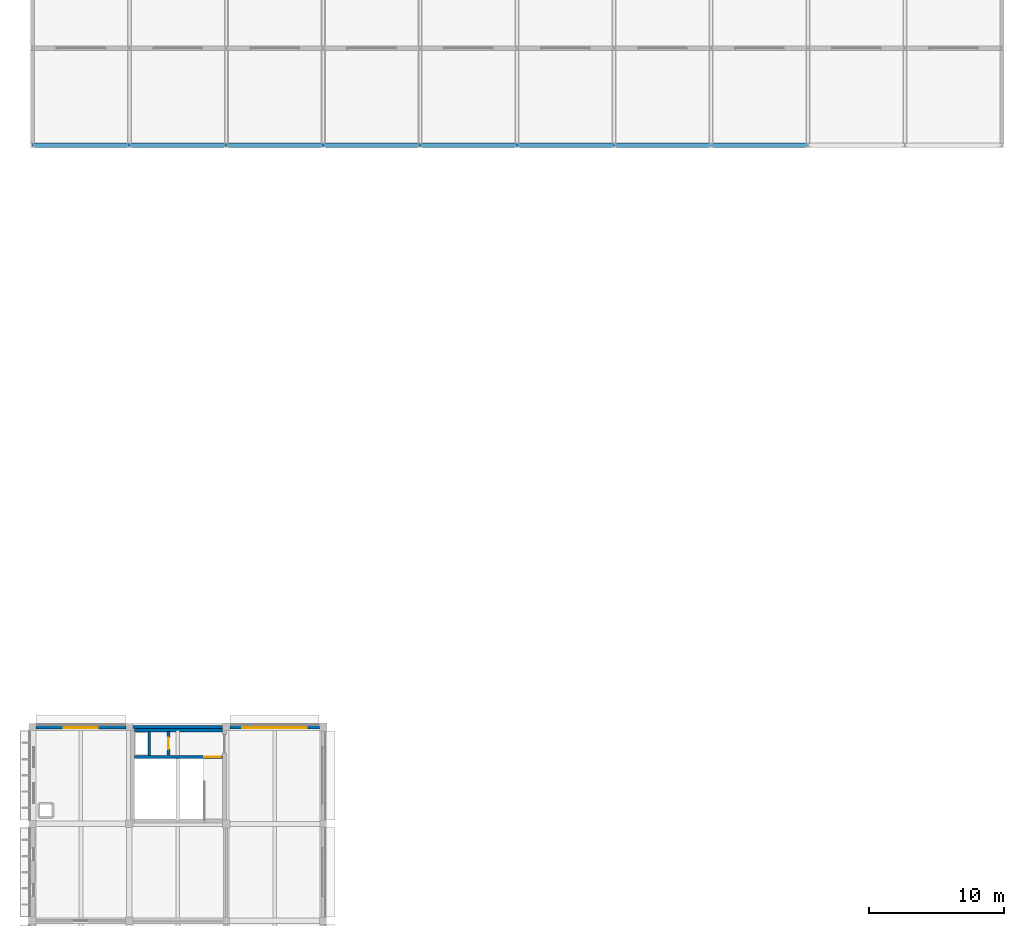
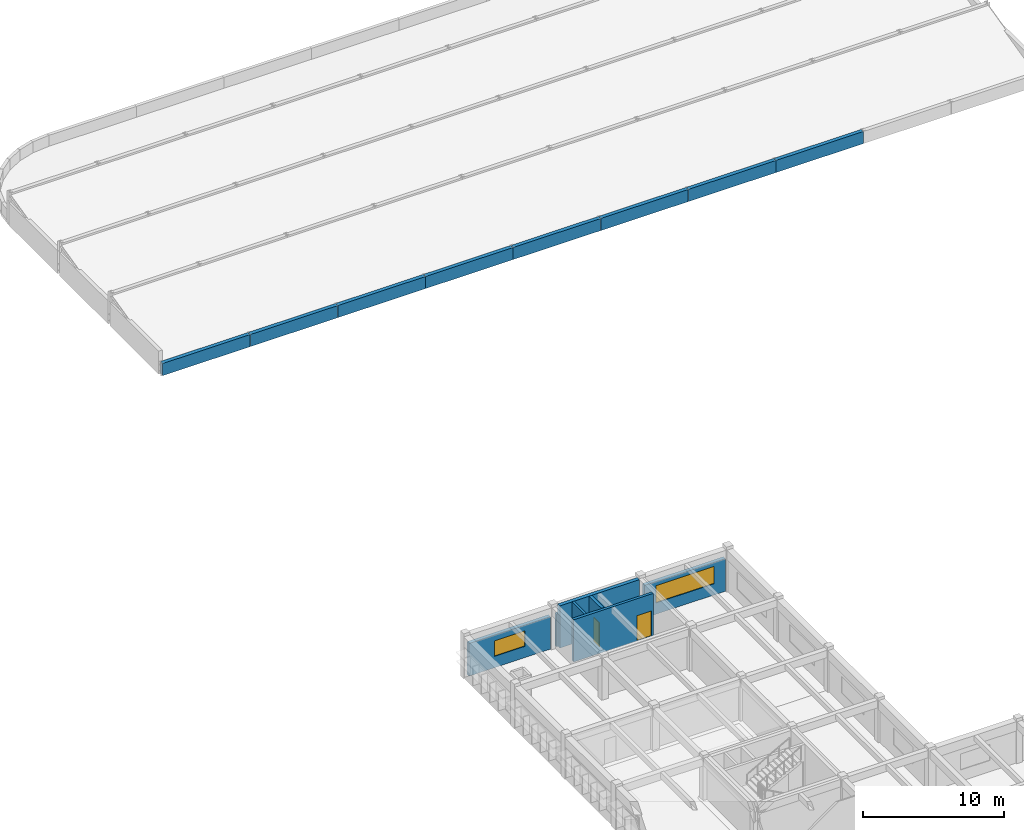
# One storey, part 15 of 19: 15 walls, 2 doors, 2 windows, 4 openings.
"""IFC4 building model written with IfcOpenShell, lengths in metres."""

from ifc_helpers import new_model, si_unit, direction, frame, frame_2d, origin, place, context, subcontext, project, spatial, rectangle, extrude, material, layer, layer_set, type_object, element, fill, save


model = new_model("IFC4")

# Units and contexts
model_context = context("Model", 3, precision=1e-05, world=origin(), true_north=direction((0.0, 1.0)))
body_context = subcontext(model_context, "Body", "Model", "MODEL_VIEW")
ifc_project = project(units=[si_unit("LENGTHUNIT", "METRE"), si_unit("AREAUNIT", "SQUARE_METRE"), si_unit("VOLUMEUNIT", "CUBIC_METRE"), si_unit("PLANEANGLEUNIT", "RADIAN"), si_unit("MASSUNIT", "GRAM", prefix="KILO")], contexts=[model_context])

# Site, building, storey
site_placement = place(None, origin())
site = spatial("IfcSite", under=ifc_project, at=site_placement, CompositionType="ELEMENT")
building_placement = place(site_placement, origin())
building = spatial("IfcBuilding", under=site, at=building_placement, Name="Thalmaran Polytechnic", CompositionType="ELEMENT")
storey_placement = place(building_placement, frame((0.0, 0.0, 26.699951171875)))
storey = spatial("IfcBuildingStorey", under=building, at=storey_placement, Name="L06", CompositionType="ELEMENT", Elevation=26.699951171875)

# Walls
ifc_material_1 = material(Name="Precast concrete C40/50", Category="concrete")
ifc_layer_1 = layer(ifc_material_1, 0.31005859375, Name="Precast concrete C40/50")
ifc_layer_set_1 = layer_set([ifc_layer_1], Name="Precast concrete C40/50")
wall_type_1 = type_object("IfcWallType", Name="WL-EW03", PredefinedType="STANDARD", material=ifc_layer_set_1)
for number, where, z_axis, x_axis, name in (
    (1, (0.010009765625, 93.60009765625, 0.0), (0.0, 0.0, 1.0), (1.0, 0.0, 0.0), "Sawtooth South Eave Spandrel 00"),
    (2, (7.2099609375, 93.60009765625, 0.0), (0.0, 0.0, 1.0), (1.0, 0.0, 0.0), "Sawtooth South Eave Spandrel 01"),
):
    element("IfcWall", number, at=place(storey_placement, frame(where, z_axis=z_axis, x_axis=x_axis)), inside=storey, type_object=wall_type_1, Name=name, PredefinedType="STANDARD", context=body_context, shape_type="SweptSolid", body=[
        extrude(rectangle(XDim=7.179931640625, YDim=0.31005859375, at=frame_2d((3.58984375, 0.0))), origin(), (0.0, 0.0, 1.0), 1.050048828125),
    ])
wall_1_placement = place(storey_placement, frame((14.409912109375, 93.60009765625, 0.0), z_axis=(0.0, 0.0, 1.0), x_axis=(1.0, 0.0, 0.0)))
element("IfcWall", 3, at=wall_1_placement, inside=storey, type_object=wall_type_1, Name="Sawtooth South Eave Spandrel 02", PredefinedType="STANDARD", context=body_context, shape_type="SweptSolid", body=[
    extrude(rectangle(XDim=7.18017578125, YDim=0.31005859375, at=frame_2d((3.590087890625, 0.0))), origin(), (0.0, 0.0, 1.0), 1.050048828125),
])
for number, where, z_axis, x_axis, name in (
    (4, (21.610107421875, 93.60009765625, 0.0), (0.0, 0.0, 1.0), (1.0, 0.0, 0.0), "Sawtooth South Eave Spandrel 03"),
    (5, (28.81005859375, 93.60009765625, 0.0), (0.0, 0.0, 1.0), (1.0, 0.0, 0.0), "Sawtooth South Eave Spandrel 04"),
    (6, (36.010009765625, 93.60009765625, 0.0), (0.0, 0.0, 1.0), (1.0, 0.0, 0.0), "Sawtooth South Eave Spandrel 05"),
    (7, (43.2099609375, 93.60009765625, 0.0), (0.0, 0.0, 1.0), (1.0, 0.0, 0.0), "Sawtooth South Eave Spandrel 06"),
):
    element("IfcWall", number, at=place(storey_placement, frame(where, z_axis=z_axis, x_axis=x_axis)), inside=storey, type_object=wall_type_1, Name=name, PredefinedType="STANDARD", context=body_context, shape_type="SweptSolid", body=[
        extrude(rectangle(XDim=7.179931640625, YDim=0.31005859375, at=frame_2d((3.58984375, 0.0))), origin(), (0.0, 0.0, 1.0), 1.050048828125),
    ])
wall_2_placement = place(storey_placement, frame((50.409912109375, 93.60009765625, 0.0), z_axis=(0.0, 0.0, 1.0), x_axis=(1.0, 0.0, 0.0)))
element("IfcWall", 8, at=wall_2_placement, inside=storey, type_object=wall_type_1, Name="Sawtooth South Eave Spandrel 07", PredefinedType="STANDARD", context=body_context, shape_type="SweptSolid", body=[
    extrude(rectangle(XDim=7.18017578125, YDim=0.31005859375, at=frame_2d((3.590087890625, 0.0))), origin(), (0.0, 0.0, 1.0), 1.050048828125),
])

# Wall, opening, window
ifc_layer_2 = layer(ifc_material_1, 0.2900390625, Name="Precast concrete C40/50")
ifc_layer_set_2 = layer_set([ifc_layer_2], Name="Precast concrete C40/50")
wall_type_2 = type_object("IfcWallType", Name="WL-EW04", PredefinedType="STANDARD", material=ifc_layer_set_2)
wall_3_placement = place(storey_placement, frame((0.25, 50.39990234375, 0.0), z_axis=(0.0, 0.0, 1.0), x_axis=(1.0, 0.0, 0.0)))
wall_3 = element("IfcWall", 9, at=wall_3_placement, inside=storey, type_object=wall_type_2, Name="Exterior Precast Facade Wall L06-011", PredefinedType="STANDARD", context=body_context, shape_type="SweptSolid", body=[
    extrude(rectangle(XDim=6.68994140625, YDim=0.2900390625, at=frame_2d((3.344970703125, 0.0))), origin(), (0.0, 0.0, 1.0), 2.830078125),
])
opening_1_placement = place(wall_3_placement, frame((2.094970703125, 0.0, 0.97998046875)))
opening_1 = element("IfcOpeningElement", 10, at=opening_1_placement, cuts=wall_3, Name="Opening VW19", PredefinedType="OPENING", context=body_context, shape_type="SweptSolid", body=[
    extrude(rectangle(XDim=2.5, YDim=1.35009765625, at=frame_2d((1.25, 0.675048828125))), frame((0.0, 0.155029296875, 0.0), z_axis=(0.0, -1.0, 0.0), x_axis=(1.0, 0.0, 0.0)), (0.0, 0.0, 1.0), 0.31005859375),
])
ifc_material_2 = material(Name="Thermally broken aluminium and double low-E glass", Category="aluminium")
window_type_1 = type_object("IfcWindowType", Name="WN-VZ19", PartitioningType="DOUBLE_PANEL_VERTICAL", PredefinedType="WINDOW", material=ifc_material_2)
window_1_placement = place(opening_1_placement, origin())
window_1 = element("IfcWindow", 11, at=window_1_placement, inside=storey, type_object=window_type_1, Name="Streamline Ribbon Window W-0741", OverallHeight=1.35009765625, OverallWidth=2.5, PartitioningType="SINGLE_PANEL", PredefinedType="WINDOW", context=body_context, shape_type="SweptSolid", body=[
    extrude(rectangle(XDim=2.5, YDim=1.35009765625, at=frame_2d((1.25, 0.675048828125))), frame((0.0, -0.030029296875, 0.0), z_axis=(0.0, -1.0, 0.0), x_axis=(1.0, 0.0, 0.0)), (0.0, 0.0, 1.0), 0.06005859375),
])
fill(opening_1, window_1)

wall_4_placement = place(storey_placement, frame((14.675048828125, 50.39990234375, 0.0), z_axis=(0.0, 0.0, 1.0), x_axis=(1.0, 0.0, 0.0)))
wall_4 = element("IfcWall", 12, at=wall_4_placement, inside=storey, type_object=wall_type_2, Name="Exterior Precast Facade Wall L06-013", PredefinedType="STANDARD", context=body_context, shape_type="SweptSolid", body=[
    extrude(rectangle(XDim=6.635009765625, YDim=0.2900390625, at=frame_2d((3.3173828125, 0.0))), origin(), (0.0, 0.0, 1.0), 2.830078125),
])
opening_2_placement = place(wall_4_placement, frame((0.91748046875, 0.0, 0.97998046875)))
opening_2 = element("IfcOpeningElement", 13, at=opening_2_placement, cuts=wall_4, Name="Opening RW01", PredefinedType="OPENING", context=body_context, shape_type="SweptSolid", body=[
    extrude(rectangle(XDim=4.800048828125, YDim=1.5, at=frame_2d((2.39990234375, 0.75))), frame((0.0, 0.155029296875, 0.0), z_axis=(0.0, -1.0, 0.0), x_axis=(1.0, 0.0, 0.0)), (0.0, 0.0, 1.0), 0.31005859375),
])
window_type_2 = type_object("IfcWindowType", Name="WN-RW01", PartitioningType="TRIPLE_PANEL_HORIZONTAL", PredefinedType="WINDOW", material=ifc_material_2)
window_2_placement = place(opening_2_placement, origin())
window_2 = element("IfcWindow", 14, at=window_2_placement, inside=storey, type_object=window_type_2, Name="Streamline Ribbon Window W-0742", OverallHeight=1.5, OverallWidth=4.800048828125, PartitioningType="SINGLE_PANEL", PredefinedType="WINDOW", context=body_context, shape_type="SweptSolid", body=[
    extrude(rectangle(XDim=4.800048828125, YDim=1.5, at=frame_2d((2.39990234375, 0.75))), frame((0.0, -0.030029296875, 0.0), z_axis=(0.0, -1.0, 0.0), x_axis=(1.0, 0.0, 0.0)), (0.0, 0.0, 1.0), 0.06005859375),
])
fill(opening_2, window_2)

# Wall
ifc_material_3 = material(Name="Translucent architectural glass block", Category="glass")
ifc_layer_3 = layer(ifc_material_3, 0.239990234375, Name="Translucent architectural glass block")
ifc_layer_set_3 = layer_set([ifc_layer_3], Name="Translucent architectural glass block")
wall_type_3 = type_object("IfcWallType", Name="WL-GB01", PredefinedType="STANDARD", material=ifc_layer_set_3)
wall_5_placement = place(storey_placement, frame((7.4599609375, 50.39990234375, 0.0), z_axis=(0.0, 0.0, 1.0), x_axis=(1.0, 0.0, 0.0)))
element("IfcWall", 15, at=wall_5_placement, inside=storey, type_object=wall_type_3, Name="Streamline Glass-Block Stair Strip L06-012", PredefinedType="STANDARD", context=body_context, shape_type="SweptSolid", body=[
    extrude(rectangle(XDim=6.6650390625, YDim=0.239990234375, at=frame_2d((3.33251953125, 0.0))), origin(), (0.0, 0.0, 1.0), 2.830078125),
])

# Wall, opening, door
ifc_material_4 = material(Name="Autoclaved aerated masonry", Category="masonry")
ifc_layer_4 = layer(ifc_material_4, 0.22998046875, Name="Autoclaved aerated masonry")
ifc_layer_set_4 = layer_set([ifc_layer_4], Name="Autoclaved aerated masonry")
wall_type_4 = type_object("IfcWallType", Name="WL-IW02", PredefinedType="PARTITIONING", material=ifc_layer_set_4)
wall_6_placement = place(storey_placement, frame((10.10009765625, 48.300048828125, 0.0), z_axis=(0.0, 0.0, 1.0), x_axis=(0.0, 1.0, 0.0)))
wall_6 = element("IfcWall", 16, at=wall_6_placement, inside=storey, type_object=wall_type_4, Name="Core C4 Riser Partition L06", PredefinedType="PARTITIONING", context=body_context, shape_type="SweptSolid", body=[
    extrude(rectangle(XDim=1.739990234375, YDim=0.22998046875, at=frame_2d((0.8701171875, 0.0))), origin(), (0.0, 0.0, 1.0), 3.670166015625),
])
opening_3_placement = place(wall_6_placement, frame((0.449951171875, 0.0, 0.0)))
opening_3 = element("IfcOpeningElement", 17, at=opening_3_placement, cuts=wall_6, Name="Opening DR-C4-L06-R", PredefinedType="OPENING", context=body_context, shape_type="SweptSolid", body=[
    extrude(rectangle(XDim=0.85009765625, YDim=2.10009765625, at=frame_2d((0.425048828125, 1.050048828125))), frame((0.0, 0.125, 0.0), z_axis=(0.0, -1.0, 0.0), x_axis=(1.0, 0.0, 0.0)), (0.0, 0.0, 1.0), 0.25),
])
ifc_material_5 = material(Name="Powder-coated fire-rated steel", Category="steel")
door_type_1 = type_object("IfcDoorType", Name="DR-FD09", OperationType="NOTDEFINED", PredefinedType="DOOR", material=ifc_material_5)
door_1_placement = place(opening_3_placement, origin())
door_1 = element("IfcDoor", 18, at=door_1_placement, inside=storey, type_object=door_type_1, Name="Riser Access Fire Door C4 L06", OperationType="SINGLE_SWING_RIGHT", OverallHeight=2.10009765625, OverallWidth=0.85009765625, PredefinedType="DOOR", context=body_context, shape_type="SweptSolid", body=[
    extrude(rectangle(XDim=0.85009765625, YDim=2.10009765625, at=frame_2d((0.425048828125, 1.050048828125))), frame((0.0, 0.02490234375, 0.0), z_axis=(0.0, -1.0, 0.0), x_axis=(1.0, 0.0, 0.0)), (0.0, 0.0, 1.0), 0.050048828125),
])
fill(opening_3, door_1)

# Walls
ifc_layer_5 = layer(ifc_material_4, 0.179931640625, Name="Autoclaved aerated masonry")
ifc_layer_set_5 = layer_set([ifc_layer_5], Name="Autoclaved aerated masonry")
wall_type_5 = type_object("IfcWallType", Name="WL-IW04", PredefinedType="PARTITIONING", material=ifc_layer_set_5)
wall_7_placement = place(storey_placement, frame((8.679931640625, 48.280029296875, 0.0), z_axis=(0.0, 0.0, 1.0), x_axis=(0.0, 1.0, 0.0)))
element("IfcWall", 19, at=wall_7_placement, inside=storey, type_object=wall_type_5, Name="Core C4 Riser Shaft Enclosure Wall L06", PredefinedType="PARTITIONING", context=body_context, shape_type="SweptSolid", body=[
    extrude(rectangle(XDim=1.760009765625, YDim=0.179931640625, at=frame_2d((0.8798828125, 0.0))), origin(), (0.0, 0.0, 1.0), 3.670166015625),
])
ifc_material_6 = material(Name="Concrete C50/60", Category="concrete")
ifc_layer_6 = layer(ifc_material_6, 0.300048828125, Name="Concrete C50/60")
ifc_layer_set_6 = layer_set([ifc_layer_6], Name="Concrete C50/60")
wall_type_6 = type_object("IfcWallType", Name="WL-SW04", PredefinedType="SHEAR", material=ifc_layer_set_6)
wall_8_placement = place(storey_placement, frame((7.570068359375, 50.179931640625, 0.0), z_axis=(0.0, 0.0, 1.0), x_axis=(1.0, 0.0, 0.0)))
element("IfcWall", 20, at=wall_8_placement, inside=storey, type_object=wall_type_6, Name="Core C4 North Shear Wall L06", PredefinedType="SHEAR", context=body_context, shape_type="SweptSolid", body=[
    extrude(rectangle(XDim=6.5400390625, YDim=0.300048828125, at=frame_2d((3.27001953125, 0.0))), origin(), (0.0, 0.0, 1.0), 3.670166015625),
])

# Wall, opening, door
wall_9_placement = place(storey_placement, frame((7.570068359375, 48.159912109375, 0.0), z_axis=(0.0, 0.0, 1.0), x_axis=(1.0, 0.0, 0.0)))
wall_9 = element("IfcWall", 21, at=wall_9_placement, inside=storey, type_object=wall_type_6, Name="Core C4 Stair Partition L06", PredefinedType="SHEAR", context=body_context, shape_type="SweptSolid", body=[
    extrude(rectangle(XDim=6.5400390625, YDim=0.219970703125, at=frame_2d((3.27001953125, 0.0))), origin(), (0.0, 0.0, 1.0), 3.670166015625),
])
opening_4_placement = place(wall_9_placement, frame((5.199951171875, 0.0, 0.0)))
opening_4 = element("IfcOpeningElement", 22, at=opening_4_placement, cuts=wall_9, Name="Opening SD-ST4-L06", PredefinedType="OPENING", context=body_context, shape_type="SweptSolid", body=[
    extrude(rectangle(XDim=1.199951171875, YDim=2.199951171875, at=frame_2d((0.60009765625, 1.10009765625))), frame((0.0, 0.119873046875, 0.0), z_axis=(0.0, -1.0, 0.0), x_axis=(1.0, 0.0, 0.0)), (0.0, 0.0, 1.0), 0.239990234375),
])
door_type_2 = type_object("IfcDoorType", Name="DR-FD04", OperationType="NOTDEFINED", PredefinedType="DOOR", material=ifc_material_5)
door_2_placement = place(opening_4_placement, origin())
door_2 = element("IfcDoor", 23, at=door_2_placement, inside=storey, type_object=door_type_2, Name="Exit Stair Fire Door ST4 L06", OperationType="DOUBLE_DOOR_SINGLE_SWING", OverallHeight=2.199951171875, OverallWidth=1.199951171875, PredefinedType="DOOR", context=body_context, shape_type="SweptSolid", body=[
    extrude(rectangle(XDim=1.199951171875, YDim=2.199951171875, at=frame_2d((0.60009765625, 1.10009765625))), frame((0.0, 0.02490234375, 0.0), z_axis=(0.0, -1.0, 0.0), x_axis=(1.0, 0.0, 0.0)), (0.0, 0.0, 1.0), 0.050048828125),
])
fill(opening_4, door_2)

save(model, "model.ifc")
